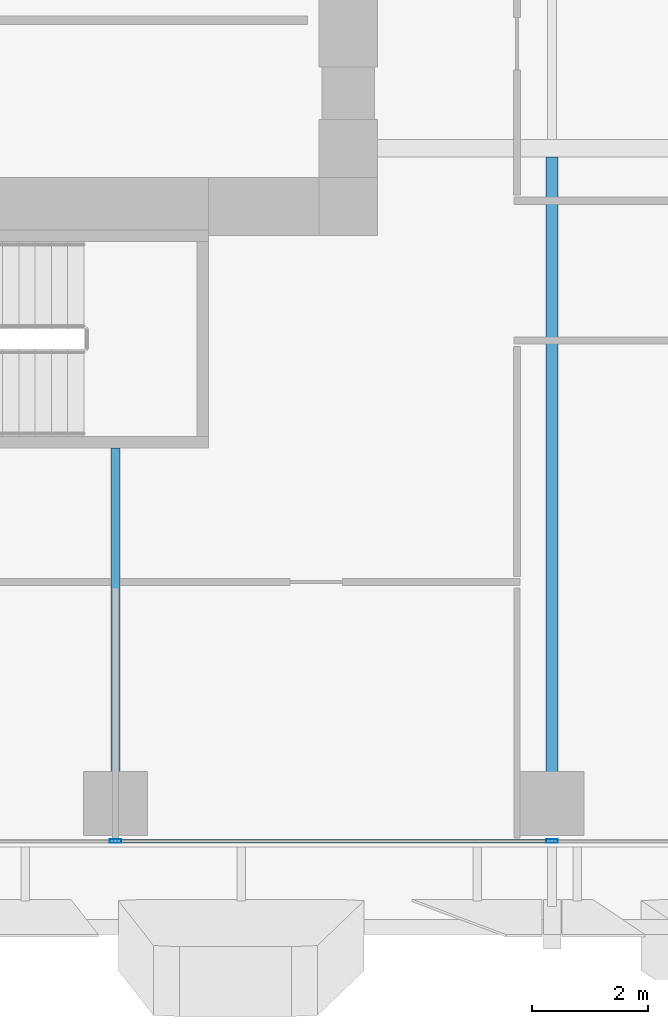
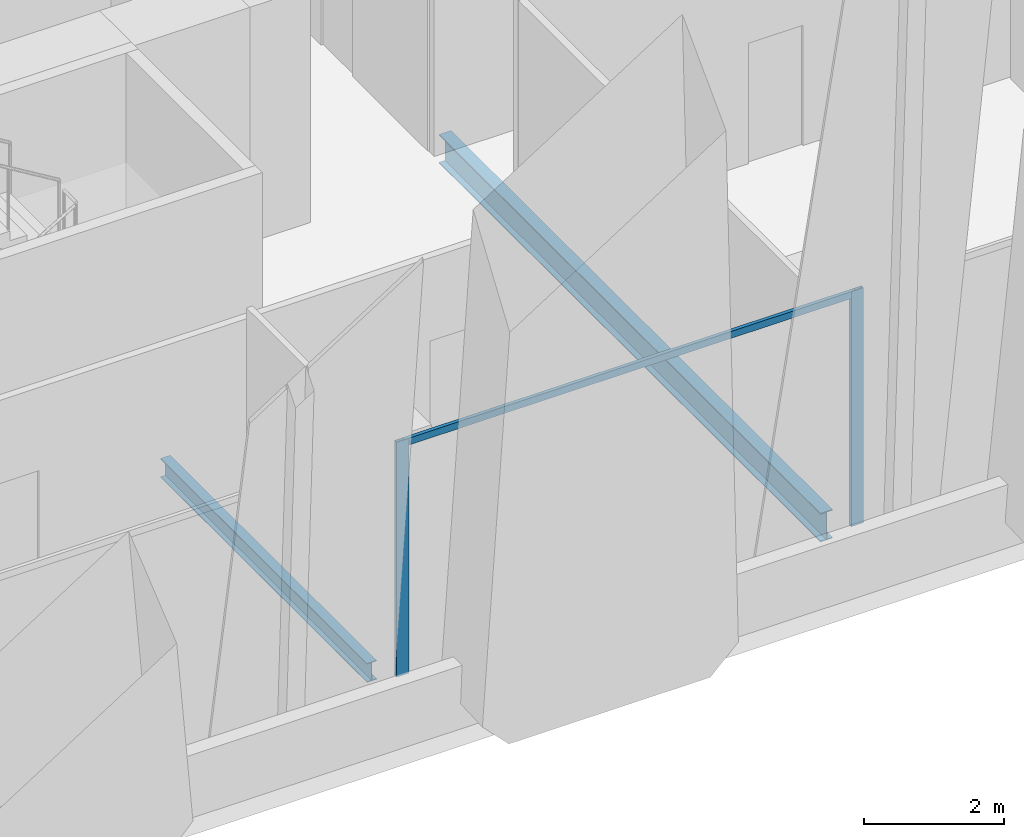
# One storey, part 4 of 37: 3 members, 2 beams, 1 element without a shape of its own.
"""IFC4 building model written with IfcOpenShell, lengths in metres."""

from ifc_helpers import new_model, si_unit, direction, frame, origin, origin_2d, place, context, subcontext, project, spatial, hollow_rectangle, i_section, extrude, source, transform, mapped, material, material_profile, profile_set, type_object, element, aggregate, save


model = new_model("IFC4")

# Units and contexts
model_context = context("Model", 3, precision=1e-05, world=origin(), true_north=direction((0.0, 1.0)))
body_context = subcontext(model_context, "Body", "Model", "MODEL_VIEW")
ifc_project = project(units=[si_unit("LENGTHUNIT", "METRE"), si_unit("AREAUNIT", "SQUARE_METRE"), si_unit("VOLUMEUNIT", "CUBIC_METRE"), si_unit("PLANEANGLEUNIT", "RADIAN"), si_unit("MASSUNIT", "GRAM", prefix="KILO")], contexts=[model_context])

# Site, building, storey
site_placement = place(None, origin())
site = spatial("IfcSite", under=ifc_project, at=site_placement, CompositionType="ELEMENT")
building_placement = place(site_placement, origin())
building = spatial("IfcBuilding", under=site, at=building_placement, Name="Khomas Fold Tower", CompositionType="ELEMENT")
storey_placement = place(building_placement, frame((0.0, 0.0, 101.5)))
storey = spatial("IfcBuildingStorey", under=building, at=storey_placement, Name="L21", CompositionType="ELEMENT", Elevation=101.5)

# Beams
ifc_material_1 = material(Name="Steel S355", Category="steel")
ifc_material_profile_1 = material_profile(ifc_material_1, i_section(OverallWidth=0.159912109375, OverallDepth=0.330078125, WebThickness=0.007568359375, FlangeThickness=0.011474609375, at=origin_2d()), Name="IPE 330")
ifc_profile_set_1 = profile_set([ifc_material_profile_1], Name="Steel S355")
beam_type_1 = type_object("IfcBeamType", Name="IPE 330 beam JB1", PredefinedType="BEAM", material=ifc_profile_set_1)
shared_shape_1 = source(origin(), body_context, "Body", "SweptSolid", [
    extrude(i_section(OverallWidth=0.159912109375, OverallDepth=0.330078125, WebThickness=0.007568359375, FlangeThickness=0.011474609375, at=origin_2d()), origin(), (0.0, 0.0, 1.0), 5.900146484375),
])
beam_1_placement = place(storey_placement, frame((19.5, 2.449951171875, -0.465087890625), z_axis=(0.0, 1.0, 0.0), x_axis=(-1.0, 0.0, 0.0)))
element("IfcBeam", 1, at=beam_1_placement, inside=storey, type_object=beam_type_1, Name="JB1", PredefinedType="BEAM", context=body_context, shape_type="MappedRepresentation", body=[
    mapped(shared_shape_1, transform((0.0, 0.0, 0.0))),
])
ifc_material_2 = material(Name="Steel S355", Category="steel")
ifc_material_profile_2 = material_profile(ifc_material_2, i_section(OverallWidth=0.199951171875, OverallDepth=0.5, WebThickness=0.01025390625, FlangeThickness=0.01611328125, at=origin_2d()), Name="IPE 500")
ifc_profile_set_2 = profile_set([ifc_material_profile_2], Name="Steel S355")
beam_type_2 = type_object("IfcBeamType", Name="IPE 500 beam JB5", PredefinedType="BEAM", material=ifc_profile_set_2)
shared_shape_2 = source(origin(), body_context, "Body", "SweptSolid", [
    extrude(i_section(OverallWidth=0.199951171875, OverallDepth=0.5, WebThickness=0.01025390625, FlangeThickness=0.01611328125, at=origin_2d()), origin(), (0.0, 0.0, 1.0), 10.900146484375),
])
beam_2_placement = place(storey_placement, frame((27.0, 2.449951171875, -0.550048828125), z_axis=(0.0, 1.0, 0.0), x_axis=(-1.0, 0.0, 0.0)))
element("IfcBeam", 2, at=beam_2_placement, inside=storey, type_object=beam_type_2, Name="JB5", PredefinedType="BEAM", context=body_context, shape_type="MappedRepresentation", body=[
    mapped(shared_shape_2, transform((0.0, 0.0, 0.0))),
])

# Curtain wall, members
ifc_material_3 = material(Name="Aluminium framed double glazing", Category="aluminium")
curtain_wall_type = type_object("IfcCurtainWallType", Name="SK-Unitised clear-glass wall, growing floors CW1", PredefinedType="NOTDEFINED", material=ifc_material_3)
curtain_wall_placement = place(storey_placement, origin())
curtain_wall = element("IfcCurtainWall", 3, at=curtain_wall_placement, inside=storey, type_object=curtain_wall_type, Name="CW1 run L21 00-0", PredefinedType="NOTDEFINED")
ifc_material_4 = material(Name="Aluminium", Category="aluminium")
ifc_material_profile_3 = material_profile(ifc_material_4, hollow_rectangle(XDim=0.06005859375, YDim=0.1201171875, WallThickness=0.00390625, at=origin_2d()), Name="SK-Unitised clear-glass wall, growing floors transom CW1-T")
ifc_profile_set_3 = profile_set([ifc_material_profile_3], Name="Aluminium")
member_type_1 = type_object("IfcMemberType", Name="SK-Unitised clear-glass wall, growing floors transom CW1-T", PredefinedType="USERDEFINED", material=ifc_profile_set_3)
shared_shape_3 = source(origin(), body_context, "Body", "SweptSolid", [
    extrude(hollow_rectangle(XDim=0.06005859375, YDim=0.1201171875, WallThickness=0.00390625, at=origin_2d()), origin(), (0.0, 0.0, 1.0), 7.43994140625),
])
member_1_placement = place(storey_placement, frame((19.530029296875, 1.60009765625, 4.0400390625), z_axis=(1.0, 0.0, 0.0), x_axis=(0.0, 1.0, 0.0)))
member_1 = element("IfcMember", 4, at=member_1_placement, type_object=member_type_1, Name="CW1 transom 4", ObjectType="TRANSOM", PredefinedType="USERDEFINED", context=body_context, shape_type="MappedRepresentation", body=[
    mapped(shared_shape_3, transform((0.0, 0.0, 0.0))),
])
ifc_material_5 = material(Name="Aluminium", Category="aluminium")
ifc_material_profile_4 = material_profile(ifc_material_5, hollow_rectangle(XDim=0.06005859375, YDim=0.199951171875, WallThickness=0.00390625, at=origin_2d()), Name="SK-Unitised clear-glass wall, growing floors mullion CW1-M")
ifc_profile_set_4 = profile_set([ifc_material_profile_4], Name="Aluminium")
member_type_2 = type_object("IfcMemberType", Name="SK-Unitised clear-glass wall, growing floors mullion CW1-M", PredefinedType="MULLION", material=ifc_profile_set_4)
shared_shape_4 = source(origin(), body_context, "Body", "SweptSolid", [
    extrude(hollow_rectangle(XDim=0.06005859375, YDim=0.199951171875, WallThickness=0.00390625, at=origin_2d()), origin(), (0.0, 0.0, 1.0), 4.10009765625),
])
member_2_placement = place(storey_placement, frame((19.5, 1.60009765625, 0.0), z_axis=(0.0, 0.0, 1.0), x_axis=(0.0, 1.0, 0.0)))
member_2 = element("IfcMember", 5, at=member_2_placement, type_object=member_type_2, Name="CW1 mullion 4", PredefinedType="MULLION", context=body_context, shape_type="MappedRepresentation", body=[
    mapped(shared_shape_4, transform((0.0, 0.0, 0.0))),
])
member_3_placement = place(storey_placement, frame((27.0, 1.60009765625, 0.0), z_axis=(0.0, 0.0, 1.0), x_axis=(0.0, 1.0, 0.0)))
member_3 = element("IfcMember", 6, at=member_3_placement, type_object=member_type_2, Name="CW1 mullion 5", PredefinedType="MULLION", context=body_context, shape_type="MappedRepresentation", body=[
    mapped(shared_shape_4, transform((0.0, 0.0, 0.0))),
])
aggregate(curtain_wall, [member_2, member_3, member_1])

save(model, "model.ifc")
